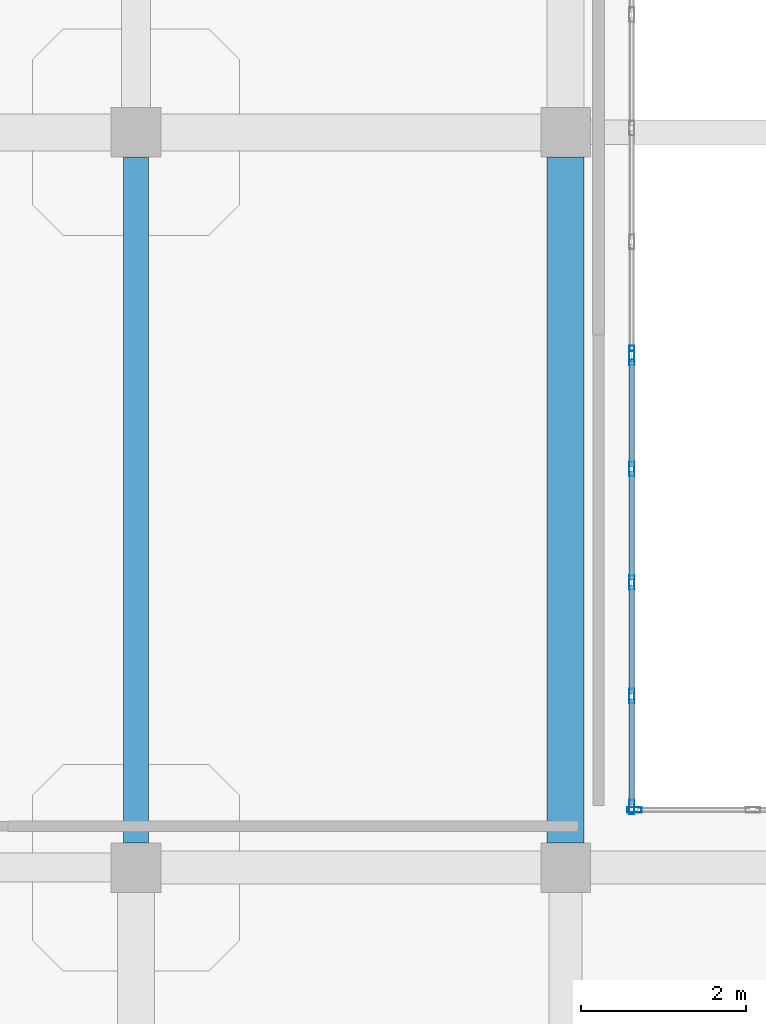
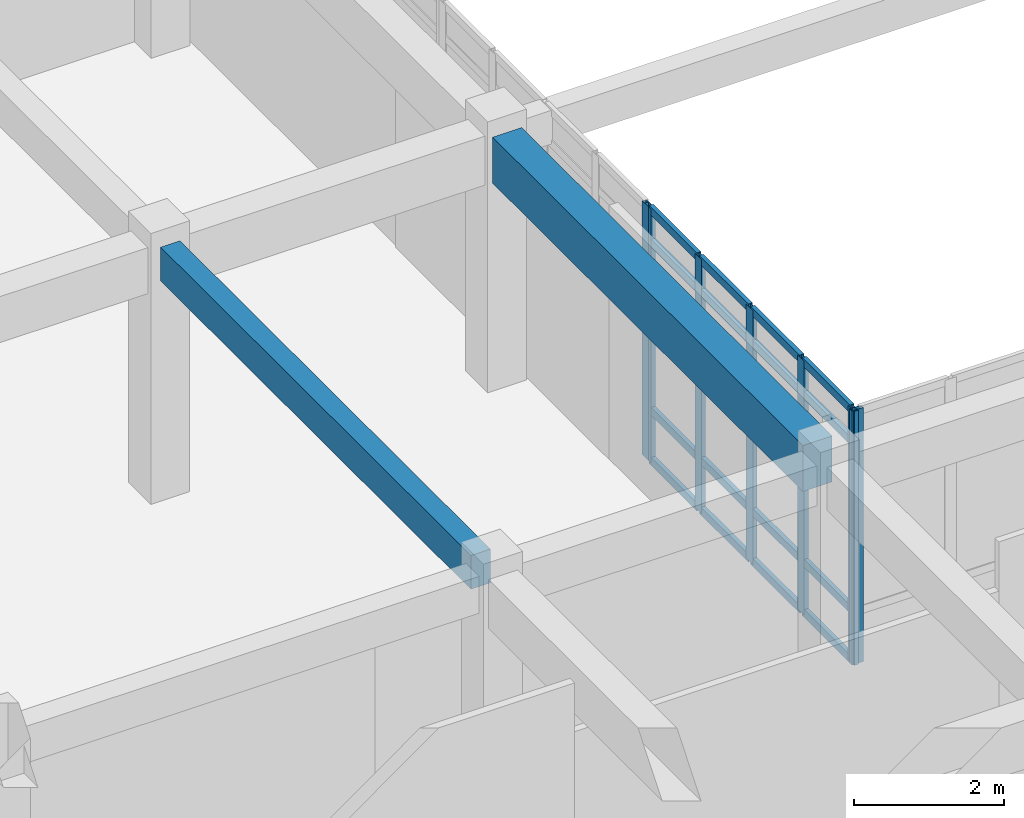
# One storey, part 82 of 142: 23 members, 2 beams, 3 elements without a shape of their own.
"""IFC4 building model written with IfcOpenShell, lengths in metres."""

from ifc_helpers import new_model, si_unit, direction, frame, origin, origin_2d, place, context, subcontext, project, spatial, rectangle, hollow_rectangle, extrude, material, layer, layer_set, material_profile, profile_set, type_object, element, aggregate, save


model = new_model("IFC4")

# Units and contexts
model_context = context("Model", 3, precision=1e-05, world=origin(), true_north=direction((0.0, 1.0)))
body_context = subcontext(model_context, "Body", "Model", "MODEL_VIEW")
ifc_project = project(units=[si_unit("LENGTHUNIT", "METRE"), si_unit("AREAUNIT", "SQUARE_METRE"), si_unit("VOLUMEUNIT", "CUBIC_METRE"), si_unit("PLANEANGLEUNIT", "RADIAN"), si_unit("MASSUNIT", "GRAM", prefix="KILO")], contexts=[model_context])

# Site, building, storey
site_placement = place(None, origin())
site = spatial("IfcSite", under=ifc_project, at=site_placement, CompositionType="ELEMENT")
building_placement = place(site_placement, origin())
building = spatial("IfcBuilding", under=site, at=building_placement, Name="Valcora Specialist Clinic", CompositionType="ELEMENT")
storey_placement = place(building_placement, frame((0.0, 0.0, 5.10009765625)))
storey = spatial("IfcBuildingStorey", under=building, at=storey_placement, Name="L01", CompositionType="ELEMENT", Elevation=5.10009765625)

# Beams
ifc_material_1 = material(Name="Concrete C40/50", Category="concrete")
ifc_material_profile_1 = material_profile(ifc_material_1, rectangle(XDim=0.300048828125, YDim=0.550048828125, at=origin_2d()), Name="RC-BM-300X550")
ifc_profile_set_1 = profile_set([ifc_material_profile_1], Name="Concrete C40/50")
beam_type_1 = type_object("IfcBeamType", Name="TY-BM-RC300X550", PredefinedType="BEAM", material=ifc_profile_set_1)
beam_1_placement = place(storey_placement, frame((106.0, 81.60009765625, 3.869873046875), z_axis=(0.0, 1.0, 0.0), x_axis=(-1.0, 0.0, 0.0)))
element("IfcBeam", 1, at=beam_1_placement, inside=storey, type_object=beam_type_1, Name="Beam BM-L01-0677", PredefinedType="BEAM", context=body_context, shape_type="SweptSolid", body=[
    extrude(rectangle(XDim=0.300048828125, YDim=0.550048828125, at=origin_2d()), origin(), (0.0, 0.0, 1.0), 8.2998046875),
])
ifc_material_profile_2 = material_profile(ifc_material_1, rectangle(XDim=0.449951171875, YDim=0.75, at=origin_2d()), Name="RC-BM-450X750")
ifc_profile_set_2 = profile_set([ifc_material_profile_2], Name="Concrete C40/50")
beam_type_2 = type_object("IfcBeamType", Name="TY-BM-RC450X750", PredefinedType="BEAM", material=ifc_profile_set_2)
beam_2_placement = place(storey_placement, frame((111.199951171875, 81.60009765625, 3.77001953125), z_axis=(0.0, 1.0, 0.0), x_axis=(-1.0, 0.0, 0.0)))
element("IfcBeam", 2, at=beam_2_placement, inside=storey, type_object=beam_type_2, Name="Beam BM-L01-0681", PredefinedType="BEAM", context=body_context, shape_type="SweptSolid", body=[
    extrude(rectangle(XDim=0.449951171875, YDim=0.75, at=origin_2d()), origin(), (0.0, 0.0, 1.0), 8.2998046875),
])

# Curtain wall, member
ifc_material_2 = material(Name="Anodized Bronze Aluminium 6063-T6", Category="aluminium")
ifc_layer = layer(ifc_material_2, 0.175048828125)
ifc_layer_set = layer_set([ifc_layer], Name="Anodized Bronze Aluminium 6063-T6")
curtain_wall_type = type_object("IfcCurtainWallType", Name="TY-CW-CRT15", PredefinedType="NOTDEFINED", material=ifc_layer_set)
curtain_wall_1_placement = place(storey_placement, origin())
curtain_wall_1 = element("IfcCurtainWall", 3, at=curtain_wall_1_placement, inside=storey, type_object=curtain_wall_type, Name="Curtain wall CW-L01-073", PredefinedType="NOTDEFINED")
ifc_material_profile_3 = material_profile(ifc_material_2, hollow_rectangle(XDim=0.06494140625, YDim=0.175048828125, WallThickness=0.00390625, at=origin_2d()), Name="AL-MUL-65X175")
ifc_profile_set_3 = profile_set([ifc_material_profile_3], Name="Anodized Bronze Aluminium 6063-T6")
member_type_1 = type_object("IfcMemberType", Name="TY-CWM-65X175", PredefinedType="MULLION", material=ifc_profile_set_3)
member_1_placement = place(storey_placement, frame((112.032470703125, 82.0, 0.0), z_axis=(0.0, 0.0, 1.0), x_axis=(0.0, 1.0, 0.0)))
member_1 = element("IfcMember", 4, at=member_1_placement, type_object=member_type_1, Name="CW-CRT-15 mullion 1", PredefinedType="MULLION", context=body_context, shape_type="SweptSolid", body=[
    extrude(hollow_rectangle(XDim=0.06494140625, YDim=0.175048828125, WallThickness=0.00390625, at=origin_2d()), origin(), (0.0, 0.0, 1.0), 4.14501953125),
])
aggregate(curtain_wall_1, [member_1])

curtain_wall_2_placement = place(storey_placement, origin())
curtain_wall_2 = element("IfcCurtainWall", 5, at=curtain_wall_2_placement, inside=storey, type_object=curtain_wall_type, Name="Curtain wall CW-L01-083", PredefinedType="NOTDEFINED")
member_2_placement = place(storey_placement, frame((112.0, 87.532470703125, 0.0), z_axis=(0.0, 0.0, 1.0), x_axis=(1.0, 0.0, 0.0)))
member_2 = element("IfcMember", 6, at=member_2_placement, type_object=member_type_1, Name="CW-CRT-15 mullion 5", PredefinedType="MULLION", context=body_context, shape_type="SweptSolid", body=[
    extrude(hollow_rectangle(XDim=0.06494140625, YDim=0.175048828125, WallThickness=0.00390625, at=origin_2d()), origin(), (0.0, 0.0, 1.0), 4.14501953125),
])
aggregate(curtain_wall_2, [member_2])

# Curtain wall, members
curtain_wall_3_placement = place(storey_placement, origin())
curtain_wall_3 = element("IfcCurtainWall", 7, at=curtain_wall_3_placement, inside=storey, type_object=curtain_wall_type, Name="Curtain wall CW-L01-084", PredefinedType="NOTDEFINED")
member_3_placement = place(storey_placement, frame((112.0, 87.467529296875, 0.0), z_axis=(0.0, 0.0, 1.0), x_axis=(1.0, 0.0, 0.0)))
member_3 = element("IfcMember", 8, at=member_3_placement, type_object=member_type_1, Name="CW-CRT-15 mullion 1", PredefinedType="MULLION", context=body_context, shape_type="SweptSolid", body=[
    extrude(hollow_rectangle(XDim=0.06494140625, YDim=0.175048828125, WallThickness=0.00390625, at=origin_2d()), origin(), (0.0, 0.0, 1.0), 4.14501953125),
])
member_4_placement = place(storey_placement, frame((112.0, 86.125, 0.0), z_axis=(0.0, 0.0, 1.0), x_axis=(1.0, 0.0, 0.0)))
member_4 = element("IfcMember", 9, at=member_4_placement, type_object=member_type_1, Name="CW-CRT-15 mullion 2", PredefinedType="MULLION", context=body_context, shape_type="SweptSolid", body=[
    extrude(hollow_rectangle(XDim=0.06494140625, YDim=0.175048828125, WallThickness=0.00390625, at=origin_2d()), origin(), (0.0, 0.0, 1.0), 4.14501953125),
])
member_5_placement = place(storey_placement, frame((112.0, 84.75, 0.0), z_axis=(0.0, 0.0, 1.0), x_axis=(1.0, 0.0, 0.0)))
member_5 = element("IfcMember", 10, at=member_5_placement, type_object=member_type_1, Name="CW-CRT-15 mullion 3", PredefinedType="MULLION", context=body_context, shape_type="SweptSolid", body=[
    extrude(hollow_rectangle(XDim=0.06494140625, YDim=0.175048828125, WallThickness=0.00390625, at=origin_2d()), origin(), (0.0, 0.0, 1.0), 4.14501953125),
])
member_6_placement = place(storey_placement, frame((112.0, 83.375, 0.0), z_axis=(0.0, 0.0, 1.0), x_axis=(1.0, 0.0, 0.0)))
member_6 = element("IfcMember", 11, at=member_6_placement, type_object=member_type_1, Name="CW-CRT-15 mullion 4", PredefinedType="MULLION", context=body_context, shape_type="SweptSolid", body=[
    extrude(hollow_rectangle(XDim=0.06494140625, YDim=0.175048828125, WallThickness=0.00390625, at=origin_2d()), origin(), (0.0, 0.0, 1.0), 4.14501953125),
])
member_7_placement = place(storey_placement, frame((112.0, 82.032470703125, 0.0), z_axis=(0.0, 0.0, 1.0), x_axis=(1.0, 0.0, 0.0)))
member_7 = element("IfcMember", 12, at=member_7_placement, type_object=member_type_1, Name="CW-CRT-15 mullion 5", PredefinedType="MULLION", context=body_context, shape_type="SweptSolid", body=[
    extrude(hollow_rectangle(XDim=0.06494140625, YDim=0.175048828125, WallThickness=0.00390625, at=origin_2d()), origin(), (0.0, 0.0, 1.0), 4.14501953125),
])
ifc_material_profile_4 = material_profile(ifc_material_2, hollow_rectangle(XDim=0.06494140625, YDim=0.1298828125, WallThickness=0.00390625, at=origin_2d()), Name="AL-TRN-65X130")
ifc_profile_set_4 = profile_set([ifc_material_profile_4], Name="Anodized Bronze Aluminium 6063-T6")
member_type_2 = type_object("IfcMemberType", Name="TY-CWT-65X130", PredefinedType="USERDEFINED", material=ifc_profile_set_4)
member_8_placement = place(storey_placement, frame((112.0, 87.43505859375, 0.032470703125), z_axis=(0.0, -1.0, 0.0), x_axis=(1.0, 0.0, 0.0)))
member_8 = element("IfcMember", 13, at=member_8_placement, type_object=member_type_2, Name="CW-CRT-15 transom 1.1", ObjectType="TRANSOM", PredefinedType="USERDEFINED", context=body_context, shape_type="SweptSolid", body=[
    extrude(hollow_rectangle(XDim=0.06494140625, YDim=0.1298828125, WallThickness=0.00390625, at=origin_2d()), origin(), (0.0, 0.0, 1.0), 1.277587890625),
])
member_9_placement = place(storey_placement, frame((112.0, 87.43505859375, 0.849853515625), z_axis=(0.0, -1.0, 0.0), x_axis=(1.0, 0.0, 0.0)))
member_9 = element("IfcMember", 14, at=member_9_placement, type_object=member_type_2, Name="CW-CRT-15 transom 1.2", ObjectType="TRANSOM", PredefinedType="USERDEFINED", context=body_context, shape_type="SweptSolid", body=[
    extrude(hollow_rectangle(XDim=0.06494140625, YDim=0.1298828125, WallThickness=0.00390625, at=origin_2d()), origin(), (0.0, 0.0, 1.0), 1.277587890625),
])
member_10_placement = place(storey_placement, frame((112.0, 87.43505859375, 3.594970703125), z_axis=(0.0, -1.0, 0.0), x_axis=(1.0, 0.0, 0.0)))
member_10 = element("IfcMember", 15, at=member_10_placement, type_object=member_type_2, Name="CW-CRT-15 transom 1.3", ObjectType="TRANSOM", PredefinedType="USERDEFINED", context=body_context, shape_type="SweptSolid", body=[
    extrude(hollow_rectangle(XDim=0.06494140625, YDim=0.1298828125, WallThickness=0.00390625, at=origin_2d()), origin(), (0.0, 0.0, 1.0), 1.277587890625),
])
member_11_placement = place(storey_placement, frame((112.0, 87.43505859375, 4.1123046875), z_axis=(0.0, -1.0, 0.0), x_axis=(1.0, 0.0, 0.0)))
member_11 = element("IfcMember", 16, at=member_11_placement, type_object=member_type_2, Name="CW-CRT-15 transom 1.4", ObjectType="TRANSOM", PredefinedType="USERDEFINED", context=body_context, shape_type="SweptSolid", body=[
    extrude(hollow_rectangle(XDim=0.06494140625, YDim=0.1298828125, WallThickness=0.00390625, at=origin_2d()), origin(), (0.0, 0.0, 1.0), 1.277587890625),
])
member_12_placement = place(storey_placement, frame((112.0, 86.092529296875, 0.032470703125), z_axis=(0.0, -1.0, 0.0), x_axis=(1.0, 0.0, 0.0)))
member_12 = element("IfcMember", 17, at=member_12_placement, type_object=member_type_2, Name="CW-CRT-15 transom 2.1", ObjectType="TRANSOM", PredefinedType="USERDEFINED", context=body_context, shape_type="SweptSolid", body=[
    extrude(hollow_rectangle(XDim=0.06494140625, YDim=0.1298828125, WallThickness=0.00390625, at=origin_2d()), origin(), (0.0, 0.0, 1.0), 1.31005859375),
])
member_13_placement = place(storey_placement, frame((112.0, 86.092529296875, 0.849853515625), z_axis=(0.0, -1.0, 0.0), x_axis=(1.0, 0.0, 0.0)))
member_13 = element("IfcMember", 18, at=member_13_placement, type_object=member_type_2, Name="CW-CRT-15 transom 2.2", ObjectType="TRANSOM", PredefinedType="USERDEFINED", context=body_context, shape_type="SweptSolid", body=[
    extrude(hollow_rectangle(XDim=0.06494140625, YDim=0.1298828125, WallThickness=0.00390625, at=origin_2d()), origin(), (0.0, 0.0, 1.0), 1.31005859375),
])
member_14_placement = place(storey_placement, frame((112.0, 86.092529296875, 3.594970703125), z_axis=(0.0, -1.0, 0.0), x_axis=(1.0, 0.0, 0.0)))
member_14 = element("IfcMember", 19, at=member_14_placement, type_object=member_type_2, Name="CW-CRT-15 transom 2.3", ObjectType="TRANSOM", PredefinedType="USERDEFINED", context=body_context, shape_type="SweptSolid", body=[
    extrude(hollow_rectangle(XDim=0.06494140625, YDim=0.1298828125, WallThickness=0.00390625, at=origin_2d()), origin(), (0.0, 0.0, 1.0), 1.31005859375),
])
member_15_placement = place(storey_placement, frame((112.0, 86.092529296875, 4.1123046875), z_axis=(0.0, -1.0, 0.0), x_axis=(1.0, 0.0, 0.0)))
member_15 = element("IfcMember", 20, at=member_15_placement, type_object=member_type_2, Name="CW-CRT-15 transom 2.4", ObjectType="TRANSOM", PredefinedType="USERDEFINED", context=body_context, shape_type="SweptSolid", body=[
    extrude(hollow_rectangle(XDim=0.06494140625, YDim=0.1298828125, WallThickness=0.00390625, at=origin_2d()), origin(), (0.0, 0.0, 1.0), 1.31005859375),
])
member_16_placement = place(storey_placement, frame((112.0, 84.717529296875, 0.032470703125), z_axis=(0.0, -1.0, 0.0), x_axis=(1.0, 0.0, 0.0)))
member_16 = element("IfcMember", 21, at=member_16_placement, type_object=member_type_2, Name="CW-CRT-15 transom 3.1", ObjectType="TRANSOM", PredefinedType="USERDEFINED", context=body_context, shape_type="SweptSolid", body=[
    extrude(hollow_rectangle(XDim=0.06494140625, YDim=0.1298828125, WallThickness=0.00390625, at=origin_2d()), origin(), (0.0, 0.0, 1.0), 1.31005859375),
])
member_17_placement = place(storey_placement, frame((112.0, 84.717529296875, 0.849853515625), z_axis=(0.0, -1.0, 0.0), x_axis=(1.0, 0.0, 0.0)))
member_17 = element("IfcMember", 22, at=member_17_placement, type_object=member_type_2, Name="CW-CRT-15 transom 3.2", ObjectType="TRANSOM", PredefinedType="USERDEFINED", context=body_context, shape_type="SweptSolid", body=[
    extrude(hollow_rectangle(XDim=0.06494140625, YDim=0.1298828125, WallThickness=0.00390625, at=origin_2d()), origin(), (0.0, 0.0, 1.0), 1.31005859375),
])
member_18_placement = place(storey_placement, frame((112.0, 84.717529296875, 3.594970703125), z_axis=(0.0, -1.0, 0.0), x_axis=(1.0, 0.0, 0.0)))
member_18 = element("IfcMember", 23, at=member_18_placement, type_object=member_type_2, Name="CW-CRT-15 transom 3.3", ObjectType="TRANSOM", PredefinedType="USERDEFINED", context=body_context, shape_type="SweptSolid", body=[
    extrude(hollow_rectangle(XDim=0.06494140625, YDim=0.1298828125, WallThickness=0.00390625, at=origin_2d()), origin(), (0.0, 0.0, 1.0), 1.31005859375),
])
member_19_placement = place(storey_placement, frame((112.0, 84.717529296875, 4.1123046875), z_axis=(0.0, -1.0, 0.0), x_axis=(1.0, 0.0, 0.0)))
member_19 = element("IfcMember", 24, at=member_19_placement, type_object=member_type_2, Name="CW-CRT-15 transom 3.4", ObjectType="TRANSOM", PredefinedType="USERDEFINED", context=body_context, shape_type="SweptSolid", body=[
    extrude(hollow_rectangle(XDim=0.06494140625, YDim=0.1298828125, WallThickness=0.00390625, at=origin_2d()), origin(), (0.0, 0.0, 1.0), 1.31005859375),
])
member_20_placement = place(storey_placement, frame((112.0, 83.342529296875, 0.032470703125), z_axis=(0.0, -1.0, 0.0), x_axis=(1.0, 0.0, 0.0)))
member_20 = element("IfcMember", 25, at=member_20_placement, type_object=member_type_2, Name="CW-CRT-15 transom 4.1", ObjectType="TRANSOM", PredefinedType="USERDEFINED", context=body_context, shape_type="SweptSolid", body=[
    extrude(hollow_rectangle(XDim=0.06494140625, YDim=0.1298828125, WallThickness=0.00390625, at=origin_2d()), origin(), (0.0, 0.0, 1.0), 1.277587890625),
])
member_21_placement = place(storey_placement, frame((112.0, 83.342529296875, 0.849853515625), z_axis=(0.0, -1.0, 0.0), x_axis=(1.0, 0.0, 0.0)))
member_21 = element("IfcMember", 26, at=member_21_placement, type_object=member_type_2, Name="CW-CRT-15 transom 4.2", ObjectType="TRANSOM", PredefinedType="USERDEFINED", context=body_context, shape_type="SweptSolid", body=[
    extrude(hollow_rectangle(XDim=0.06494140625, YDim=0.1298828125, WallThickness=0.00390625, at=origin_2d()), origin(), (0.0, 0.0, 1.0), 1.277587890625),
])
member_22_placement = place(storey_placement, frame((112.0, 83.342529296875, 3.594970703125), z_axis=(0.0, -1.0, 0.0), x_axis=(1.0, 0.0, 0.0)))
member_22 = element("IfcMember", 27, at=member_22_placement, type_object=member_type_2, Name="CW-CRT-15 transom 4.3", ObjectType="TRANSOM", PredefinedType="USERDEFINED", context=body_context, shape_type="SweptSolid", body=[
    extrude(hollow_rectangle(XDim=0.06494140625, YDim=0.1298828125, WallThickness=0.00390625, at=origin_2d()), origin(), (0.0, 0.0, 1.0), 1.277587890625),
])
member_23_placement = place(storey_placement, frame((112.0, 83.342529296875, 4.1123046875), z_axis=(0.0, -1.0, 0.0), x_axis=(1.0, 0.0, 0.0)))
member_23 = element("IfcMember", 28, at=member_23_placement, type_object=member_type_2, Name="CW-CRT-15 transom 4.4", ObjectType="TRANSOM", PredefinedType="USERDEFINED", context=body_context, shape_type="SweptSolid", body=[
    extrude(hollow_rectangle(XDim=0.06494140625, YDim=0.1298828125, WallThickness=0.00390625, at=origin_2d()), origin(), (0.0, 0.0, 1.0), 1.277587890625),
])
aggregate(curtain_wall_3, [member_3, member_4, member_5, member_6, member_7, member_8, member_9, member_10, member_11, member_12, member_13, member_14, member_15, member_16, member_17, member_18, member_19, member_20, member_21, member_22, member_23])

save(model, "model.ifc")
